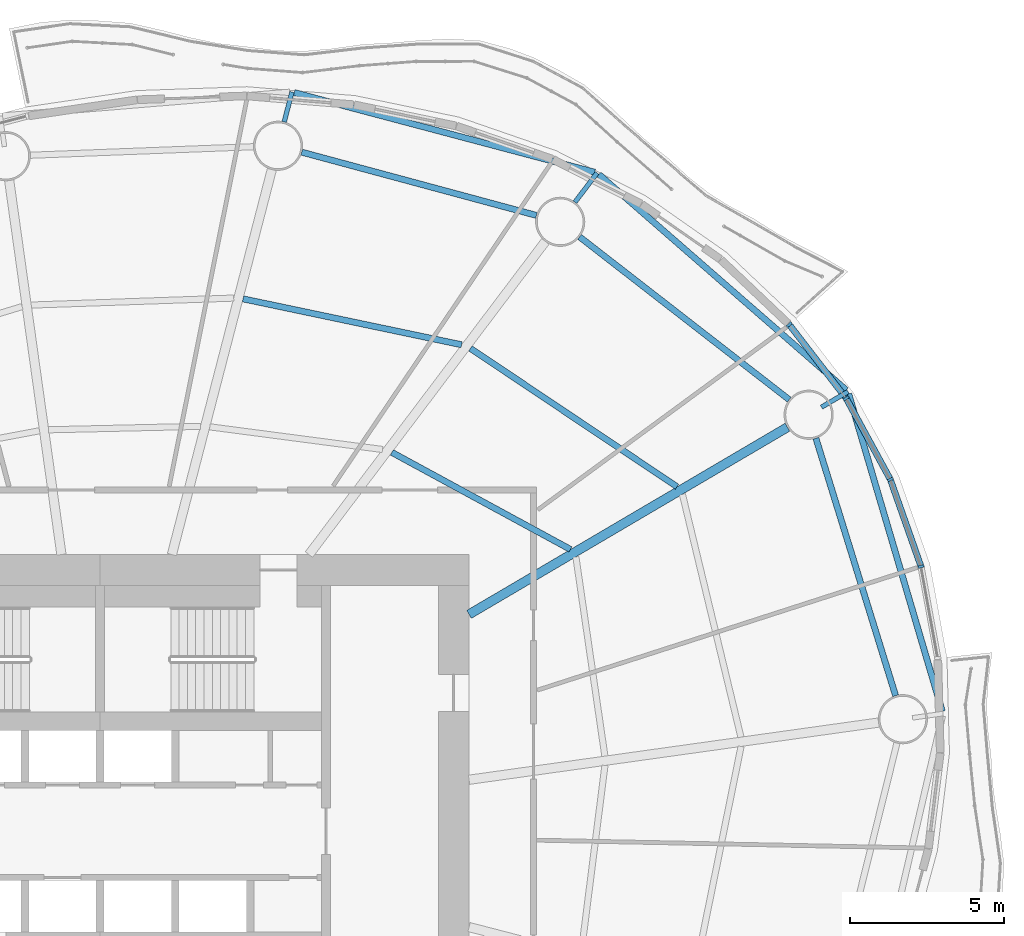
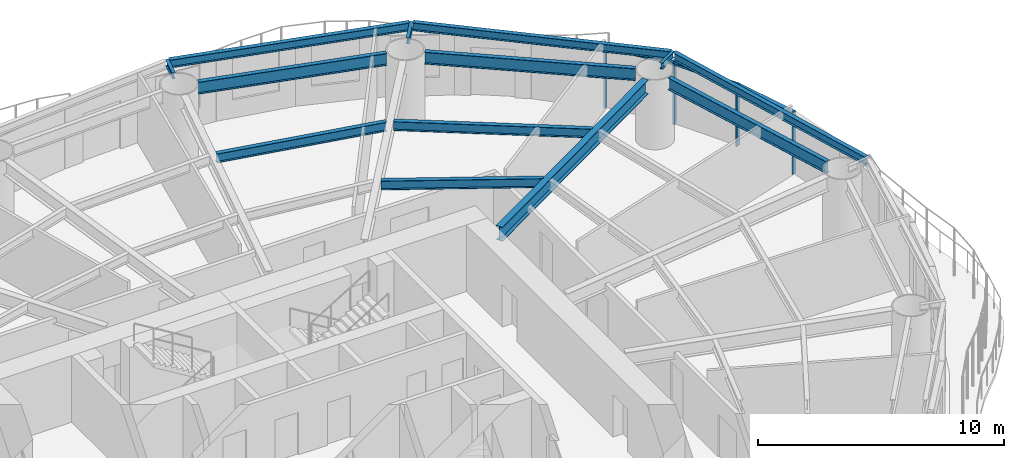
# One storey, part 5 of 15: 13 beams, 7 members, 3 elements without a shape of their own.
"""IFC4 building model written with IfcOpenShell, lengths in metres."""

from ifc_helpers import new_model, si_unit, direction, frame, origin, origin_2d, place, context, subcontext, project, spatial, rectangle, i_section, extrude, material, material_profile, profile_set, type_object, element, aggregate, save


model = new_model("IFC4")

# Units and contexts
model_context = context("Model", 3, precision=1e-05, world=origin(), true_north=direction((0.0, 1.0)))
body_context = subcontext(model_context, "Body", "Model", "MODEL_VIEW")
ifc_project = project(units=[si_unit("LENGTHUNIT", "METRE"), si_unit("AREAUNIT", "SQUARE_METRE"), si_unit("VOLUMEUNIT", "CUBIC_METRE"), si_unit("PLANEANGLEUNIT", "RADIAN"), si_unit("MASSUNIT", "GRAM", prefix="KILO")], contexts=[model_context])

# Site, building, storey
site_placement = place(None, origin())
site = spatial("IfcSite", under=ifc_project, at=site_placement, CompositionType="ELEMENT")
building_placement = place(site_placement, origin())
building = spatial("IfcBuilding", under=site, at=building_placement, Name="Vermilion Reach Broadcast Tower", CompositionType="ELEMENT")
storey_placement = place(building_placement, frame((0.0, 0.0, 128.199951171875)))
storey = spatial("IfcBuildingStorey", under=building, at=storey_placement, Name="L30", CompositionType="ELEMENT", Elevation=128.199951171875)

# Beams
ifc_material_1 = material(Name="Steel S355J2", Category="steel")
ifc_material_profile_1 = material_profile(ifc_material_1, i_section(OverallWidth=0.199951171875, OverallDepth=0.39990234375, WebThickness=0.008056640625, FlangeThickness=0.012939453125, at=origin_2d()), Name="S355J2 HN 400x200x8x13")
ifc_profile_set_1 = profile_set([ifc_material_profile_1], Name="Steel S355J2")
beam_type_1 = type_object("IfcBeamType", Name="EB2 HN 400x200x8x13", PredefinedType="BEAM", material=ifc_profile_set_1)
beam_1_placement = place(storey_placement, frame((18.26416015625, 14.351318359375, 3.25), z_axis=(-0.753800046585, 0.657103865282, 0.0), x_axis=(-0.657103865282, -0.753800046585, 0.0)))
element("IfcBeam", 1, at=beam_1_placement, inside=storey, type_object=beam_type_1, Name="Edge beam EB2-01", PredefinedType="BEAM", context=body_context, shape_type="SweptSolid", body=[
    extrude(i_section(OverallWidth=0.199951171875, OverallDepth=0.39990234375, WebThickness=0.008056640625, FlangeThickness=0.012939453125, at=origin_2d()), origin(), (0.0, 0.0, 1.0), 10.669921875),
])
beam_2_placement = place(storey_placement, frame((10.086181640625, 21.432861328125, 3.25), z_axis=(-0.966600265472, 0.256288756657, 0.0), x_axis=(-0.256288756657, -0.966600265472, 0.0)))
element("IfcBeam", 2, at=beam_2_placement, inside=storey, type_object=beam_type_1, Name="Edge beam EB2-02", PredefinedType="BEAM", context=body_context, shape_type="SweptSolid", body=[
    extrude(i_section(OverallWidth=0.199951171875, OverallDepth=0.39990234375, WebThickness=0.008056640625, FlangeThickness=0.012939453125, at=origin_2d()), origin(), (0.0, 0.0, 1.0), 10.11083984375),
])
beam_3_placement = place(storey_placement, frame((21.390869140625, 3.90087890625, 3.25), z_axis=(-0.282904250586, 0.959148155918, 0.0), x_axis=(-0.959148155918, -0.282904250586, 0.0)))
element("IfcBeam", 3, at=beam_3_placement, inside=storey, type_object=beam_type_1, Name="Edge beam EB2-16", PredefinedType="BEAM", context=body_context, shape_type="SweptSolid", body=[
    extrude(i_section(OverallWidth=0.199951171875, OverallDepth=0.39990234375, WebThickness=0.008056640625, FlangeThickness=0.012939453125, at=origin_2d()), origin(), (0.0, 0.0, 1.0), 10.763916015625),
])
ifc_material_2 = material(Name="Steel S355J2", Category="steel")
ifc_material_profile_2 = material_profile(ifc_material_2, i_section(OverallWidth=0.300048828125, OverallDepth=0.699951171875, WebThickness=0.012939453125, FlangeThickness=0.02392578125, at=origin_2d()), Name="S355J2 HN 700x300x13x24")
ifc_profile_set_2 = profile_set([ifc_material_profile_2], Name="Steel S355J2")
beam_type_2 = type_object("IfcBeamType", Name="G2 HN 700x300x13x24", PredefinedType="BEAM", material=ifc_profile_set_2)
beam_4_placement = place(storey_placement, frame((6.0, 7.054443359375, 3.10009765625), z_axis=(0.862071616631, 0.506786471603, 0.0), x_axis=(-0.506786471603, 0.862071616631, 0.0)))
element("IfcBeam", 4, at=beam_4_placement, inside=storey, type_object=beam_type_2, Name="Girder G2-01", PredefinedType="BEAM", context=body_context, shape_type="SweptSolid", body=[
    extrude(i_section(OverallWidth=0.300048828125, OverallDepth=0.699951171875, WebThickness=0.012939453125, FlangeThickness=0.02392578125, at=origin_2d()), origin(), (0.0, 0.0, 1.0), 12.01025390625),
])
ifc_material_3 = material(Name="Steel S355J2", Category="steel")
ifc_material_profile_3 = material_profile(ifc_material_3, i_section(OverallWidth=0.14990234375, OverallDepth=0.300048828125, WebThickness=0.006591796875, FlangeThickness=0.009033203125, at=origin_2d()), Name="S355J2 HN 300x150x6.5x9")
ifc_profile_set_3 = profile_set([ifc_material_profile_3], Name="Steel S355J2")
beam_type_3 = type_object("IfcBeamType", Name="GS2 HN 300x150x6.5x9", PredefinedType="BEAM", material=ifc_profile_set_3)
beam_5_placement = place(storey_placement, frame((17.461669921875, 13.79248046875, 3.300048828125), z_axis=(0.862109854745, 0.506721420853, 0.0), x_axis=(-0.506721420853, 0.862109854745, 0.0)))
element("IfcBeam", 5, at=beam_5_placement, inside=storey, type_object=beam_type_3, Name="Cantilever stub GS2-01", PredefinedType="BEAM", context=body_context, shape_type="SweptSolid", body=[
    extrude(i_section(OverallWidth=0.14990234375, OverallDepth=0.300048828125, WebThickness=0.006591796875, FlangeThickness=0.009033203125, at=origin_2d()), origin(), (0.0, 0.0, 1.0), 1.000244140625),
])
beam_6_placement = place(storey_placement, frame((9.4453125, 20.45947265625, 3.300048828125), z_axis=(0.602419200578, 0.798179871191, 0.0), x_axis=(-0.798179871191, 0.602419200578, 0.0)))
element("IfcBeam", 6, at=beam_6_placement, inside=storey, type_object=beam_type_3, Name="Cantilever stub GS2-02", PredefinedType="BEAM", context=body_context, shape_type="SweptSolid", body=[
    extrude(i_section(OverallWidth=0.14990234375, OverallDepth=0.300048828125, WebThickness=0.006591796875, FlangeThickness=0.009033203125, at=origin_2d()), origin(), (0.0, 0.0, 1.0), 1.193603515625),
])
beam_7_placement = place(storey_placement, frame((-0.012451171875, 23.06884765625, 3.300048828125), z_axis=(0.251197763787, 0.967935784786, 0.0), x_axis=(-0.967935784786, 0.251197763787, 0.0)))
element("IfcBeam", 7, at=beam_7_placement, inside=storey, type_object=beam_type_3, Name="Cantilever stub GS2-03", PredefinedType="BEAM", context=body_context, shape_type="SweptSolid", body=[
    extrude(i_section(OverallWidth=0.14990234375, OverallDepth=0.300048828125, WebThickness=0.006591796875, FlangeThickness=0.009033203125, at=origin_2d()), origin(), (0.0, 0.0, 1.0), 1.0068359375),
])
ifc_material_4 = material(Name="Steel S355J2", Category="steel")
ifc_material_profile_4 = material_profile(ifc_material_4, i_section(OverallWidth=0.199951171875, OverallDepth=0.60009765625, WebThickness=0.010986328125, FlangeThickness=0.01708984375, at=origin_2d()), Name="S355J2 HN 600x200x11x17")
ifc_profile_set_4 = profile_set([ifc_material_profile_4], Name="Steel S355J2")
beam_type_4 = type_object("IfcBeamType", Name="RB2 HN 600x200x11x17", PredefinedType="BEAM", material=ifc_profile_set_4)
beam_8_placement = place(storey_placement, frame((16.41162109375, 14.037109375, 3.150146484375), z_axis=(-0.789825712432, 0.613331349257, 0.0), x_axis=(-0.613331349257, -0.789825712432, 0.0)))
element("IfcBeam", 8, at=beam_8_placement, inside=storey, type_object=beam_type_4, Name="Ring beam RB2-01", PredefinedType="BEAM", context=body_context, shape_type="SweptSolid", body=[
    extrude(i_section(OverallWidth=0.199951171875, OverallDepth=0.60009765625, WebThickness=0.010986328125, FlangeThickness=0.01708984375, at=origin_2d()), origin(), (0.0, 0.0, 1.0), 8.63037109375),
])
beam_9_placement = place(storey_placement, frame((8.19091796875, 20.029296875, 3.150146484375), z_axis=(-0.965541463834, 0.260249268234, 0.0), x_axis=(-0.260249268234, -0.965541463834, 0.0)))
element("IfcBeam", 9, at=beam_9_placement, inside=storey, type_object=beam_type_4, Name="Ring beam RB2-02", PredefinedType="BEAM", context=body_context, shape_type="SweptSolid", body=[
    extrude(i_section(OverallWidth=0.199951171875, OverallDepth=0.60009765625, WebThickness=0.010986328125, FlangeThickness=0.01708984375, at=origin_2d()), origin(), (0.0, 0.0, 1.0), 7.904541015625),
])
beam_10_placement = place(storey_placement, frame((19.872314453125, 4.410400390625, 3.150146484375), z_axis=(-0.295788439635, 0.95525347368, 0.0), x_axis=(-0.95525347368, -0.295788439635, 0.0)))
element("IfcBeam", 10, at=beam_10_placement, inside=storey, type_object=beam_type_4, Name="Ring beam RB2-16", PredefinedType="BEAM", context=body_context, shape_type="SweptSolid", body=[
    extrude(i_section(OverallWidth=0.199951171875, OverallDepth=0.60009765625, WebThickness=0.010986328125, FlangeThickness=0.01708984375, at=origin_2d()), origin(), (0.0, 0.0, 1.0), 8.763916015625),
])
ifc_material_5 = material(Name="Steel S355J2", Category="steel")
ifc_material_profile_5 = material_profile(ifc_material_5, i_section(OverallWidth=0.199951171875, OverallDepth=0.449951171875, WebThickness=0.009033203125, FlangeThickness=0.013916015625, at=origin_2d()), Name="S355J2 HN 450x200x9x14")
ifc_profile_set_5 = profile_set([ifc_material_profile_5], Name="Steel S355J2")
beam_type_5 = type_object("IfcBeamType", Name="SB2 HN 450x200x9x14", PredefinedType="BEAM", material=ifc_profile_set_5)
beam_11_placement = place(storey_placement, frame((9.29736328125, 9.1669921875, 3.22509765625), z_axis=(-0.878713106774, 0.477350265512, 0.0), x_axis=(-0.477350265512, -0.878713106774, 0.0)))
element("IfcBeam", 11, at=beam_11_placement, inside=storey, type_object=beam_type_5, Name="Secondary beam SB2-01-1", PredefinedType="BEAM", context=body_context, shape_type="SweptSolid", body=[
    extrude(i_section(OverallWidth=0.199951171875, OverallDepth=0.449951171875, WebThickness=0.009033203125, FlangeThickness=0.013916015625, at=origin_2d()), origin(), (0.0, 0.0, 1.0), 6.60888671875),
])
beam_12_placement = place(storey_placement, frame((12.76416015625, 11.204833984375, 3.22509765625), z_axis=(-0.830915400975, 0.556398774641, 0.0), x_axis=(-0.556398774641, -0.830915400975, 0.0)))
element("IfcBeam", 12, at=beam_12_placement, inside=storey, type_object=beam_type_5, Name="Secondary beam SB2-01-2", PredefinedType="BEAM", context=body_context, shape_type="SweptSolid", body=[
    extrude(i_section(OverallWidth=0.199951171875, OverallDepth=0.449951171875, WebThickness=0.009033203125, FlangeThickness=0.013916015625, at=origin_2d()), origin(), (0.0, 0.0, 1.0), 8.087646484375),
])
beam_13_placement = place(storey_placement, frame((5.7568359375, 15.822509765625, 3.22509765625), z_axis=(-0.978631382549, 0.205622511148, 0.0), x_axis=(-0.205622511148, -0.978631382549, 0.0)))
element("IfcBeam", 13, at=beam_13_placement, inside=storey, type_object=beam_type_5, Name="Secondary beam SB2-02-2", PredefinedType="BEAM", context=body_context, shape_type="SweptSolid", body=[
    extrude(i_section(OverallWidth=0.199951171875, OverallDepth=0.449951171875, WebThickness=0.009033203125, FlangeThickness=0.013916015625, at=origin_2d()), origin(), (0.0, 0.0, 1.0), 7.262939453125),
])

# Curtain wall, member
ifc_material_6 = material(Name="Low-e laminated clear glass in aluminium frame", Category="aluminium")
curtain_wall_type = type_object("IfcCurtainWallType", Name="Slot curtain wall", PredefinedType="NOTDEFINED", material=ifc_material_6)
placement = place(storey_placement, origin())
curtain_wall_1 = element("IfcCurtainWall", 14, at=placement, inside=storey, type_object=curtain_wall_type, Name="Slot curtain wall L30 47", PredefinedType="NOTDEFINED")
ifc_material_7 = material(Name="Anodised aluminium", Category="aluminium")
ifc_material_profile_6 = material_profile(ifc_material_7, rectangle(XDim=0.199951171875, YDim=0.080078125, at=origin_2d()), Name="Slot mullion 80 x 200")
ifc_profile_set_6 = profile_set([ifc_material_profile_6], Name="Anodised aluminium")
member_type_1 = type_object("IfcMemberType", Name="Slot mullion 80 x 200", PredefinedType="MULLION", material=ifc_profile_set_6)
member_1_placement = place(storey_placement, frame((20.698974609375, 8.6103515625, 0.0), z_axis=(0.0, 0.0, 1.0), x_axis=(-0.966415903265, -0.2569830771, 0.0)))
member_1 = element("IfcMember", 15, at=member_1_placement, type_object=member_type_1, Name="Slot mullion L30 47", PredefinedType="MULLION", context=body_context, shape_type="SweptSolid", body=[
    extrude(rectangle(XDim=0.199951171875, YDim=0.080078125, at=origin_2d()), origin(), (0.0, 0.0, 1.0), 3.050048828125),
])

curtain_wall_2 = element("IfcCurtainWall", 16, at=placement, inside=storey, type_object=curtain_wall_type, Name="Slot curtain wall L30 00", PredefinedType="NOTDEFINED")
member_2_placement = place(storey_placement, frame((19.7001953125, 11.4423828125, 0.0), z_axis=(0.0, 0.0, 1.0), x_axis=(-0.913545481623, -0.406736589216, 0.0)))
member_2 = element("IfcMember", 17, at=member_2_placement, type_object=member_type_1, Name="Slot mullion L30 00", PredefinedType="MULLION", context=body_context, shape_type="SweptSolid", body=[
    extrude(rectangle(XDim=0.199951171875, YDim=0.080078125, at=origin_2d()), origin(), (0.0, 0.0, 1.0), 3.050048828125),
])

# Curtain wall, members
curtain_wall_3 = element("IfcCurtainWall", 18, at=placement, inside=storey, type_object=curtain_wall_type, Name="Slot curtain wall L30 01", PredefinedType="NOTDEFINED")
member_3_placement = place(storey_placement, frame((18.263671875, 14.079833984375, 0.0), z_axis=(0.0, 0.0, 1.0), x_axis=(-0.83763413254, -0.546231690773, 0.0)))
member_3 = element("IfcMember", 19, at=member_3_placement, type_object=member_type_1, Name="Slot mullion L30 01", PredefinedType="MULLION", context=body_context, shape_type="SweptSolid", body=[
    extrude(rectangle(XDim=0.199951171875, YDim=0.080078125, at=origin_2d()), origin(), (0.0, 0.0, 1.0), 3.050048828125),
])
member_4_placement = place(storey_placement, frame((16.413818359375, 16.47802734375, 0.0), z_axis=(0.0, 0.0, 1.0), x_axis=(-0.742286619693, -0.670082512997, 0.0)))
member_4 = element("IfcMember", 20, at=member_4_placement, type_object=member_type_1, Name="Slot mullion L30 02", PredefinedType="MULLION", context=body_context, shape_type="SweptSolid", body=[
    extrude(rectangle(XDim=0.199951171875, YDim=0.080078125, at=origin_2d()), origin(), (0.0, 0.0, 1.0), 3.050048828125),
])

# Member
ifc_material_8 = material(Name="Anodised aluminium", Category="aluminium")
ifc_material_profile_7 = material_profile(ifc_material_8, rectangle(XDim=0.199951171875, YDim=0.10009765625, at=origin_2d()), Name="Slot transom 200 x 100")
ifc_profile_set_7 = profile_set([ifc_material_profile_7], Name="Anodised aluminium")
member_type_2 = type_object("IfcMemberType", Name="Slot transom 200 x 100", PredefinedType="USERDEFINED", material=ifc_profile_set_7)
member_5_placement = place(storey_placement, frame((20.685546875, 8.64794921875, 3.0), z_axis=(-0.332566726443, 0.943079727522, 0.0), x_axis=(-0.943079727522, -0.332566726443, 0.0)))
member_5 = element("IfcMember", 21, at=member_5_placement, type_object=member_type_2, Name="Slot transom L30 47.1", ObjectType="TRANSOM", PredefinedType="USERDEFINED", context=body_context, shape_type="SweptSolid", body=[
    extrude(rectangle(XDim=0.199951171875, YDim=0.10009765625, at=origin_2d()), origin(), (0.0, 0.0, 1.0), 2.92333984375),
])

aggregate(curtain_wall_1, [member_1, member_5])

member_6_placement = place(storey_placement, frame((19.680908203125, 11.4775390625, 3.0), z_axis=(-0.478243426703, 0.878227319557, 0.0), x_axis=(-0.878227319557, -0.478243426703, 0.0)))
member_6 = element("IfcMember", 22, at=member_6_placement, type_object=member_type_2, Name="Slot transom L30 00.1", ObjectType="TRANSOM", PredefinedType="USERDEFINED", context=body_context, shape_type="SweptSolid", body=[
    extrude(rectangle(XDim=0.199951171875, YDim=0.10009765625, at=origin_2d()), origin(), (0.0, 0.0, 1.0), 2.923095703125),
])

aggregate(curtain_wall_2, [member_2, member_6])

member_7_placement = place(storey_placement, frame((18.2392578125, 14.111328125, 3.0), z_axis=(-0.610754515338, 0.791820006058, 0.0), x_axis=(-0.791820006058, -0.610754515338, 0.0)))
member_7 = element("IfcMember", 23, at=member_7_placement, type_object=member_type_2, Name="Slot transom L30 01.1", ObjectType="TRANSOM", PredefinedType="USERDEFINED", context=body_context, shape_type="SweptSolid", body=[
    extrude(rectangle(XDim=0.199951171875, YDim=0.10009765625, at=origin_2d()), origin(), (0.0, 0.0, 1.0), 2.948974609375),
])

aggregate(curtain_wall_3, [member_3, member_4, member_7])

save(model, "model.ifc")
